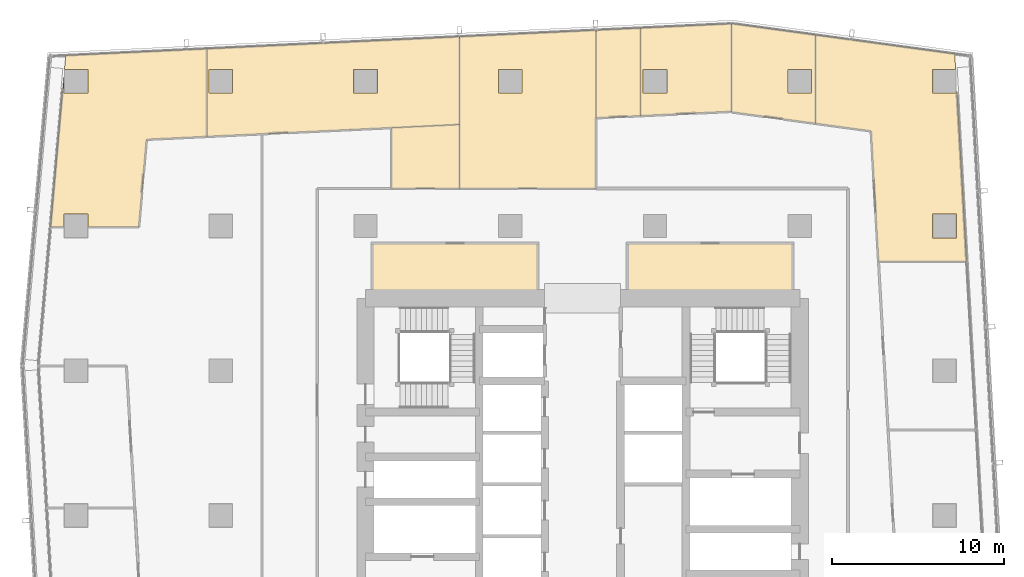
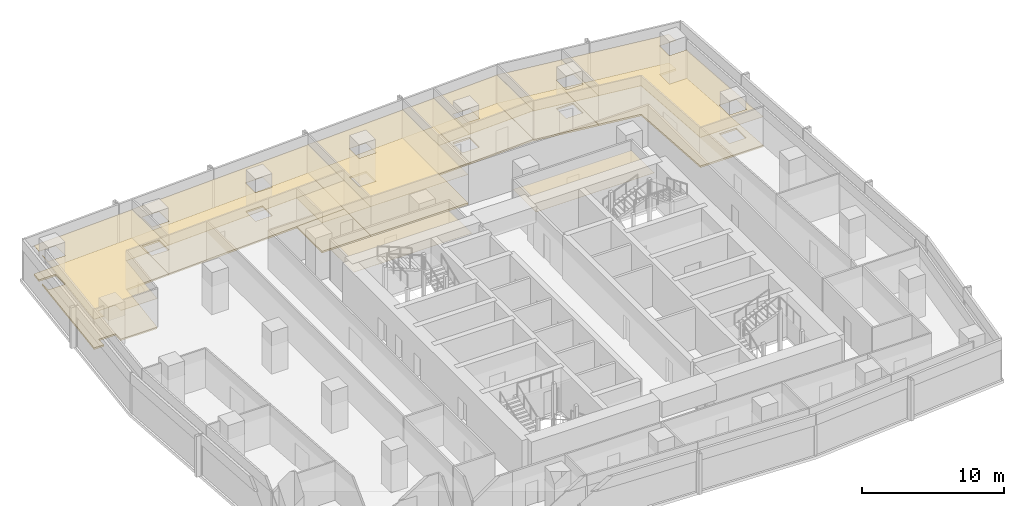
# One storey, part 38 of 38: 18 coverings.
"""IFC4 building model written with IfcOpenShell, lengths in metres."""

from ifc_helpers import new_model, si_unit, direction, frame, origin, place, context, subcontext, project, spatial, polyline, outline, extrude, material, layer, layer_set, type_object, element, save


model = new_model("IFC4")

# Units and contexts
model_context = context("Model", 3, precision=1e-05, world=origin(), true_north=direction((0.0, 1.0)))
body_context = subcontext(model_context, "Body", "Model", "MODEL_VIEW")
ifc_project = project(units=[si_unit("LENGTHUNIT", "METRE"), si_unit("AREAUNIT", "SQUARE_METRE"), si_unit("VOLUMEUNIT", "CUBIC_METRE"), si_unit("PLANEANGLEUNIT", "RADIAN"), si_unit("MASSUNIT", "GRAM", prefix="KILO")], contexts=[model_context])

# Site, building, storey
site_placement = place(None, origin())
site = spatial("IfcSite", under=ifc_project, at=site_placement, CompositionType="ELEMENT")
building_placement = place(site_placement, origin())
building = spatial("IfcBuilding", under=site, at=building_placement, Name="Rekha Terrace Tower", CompositionType="ELEMENT")
storey_placement = place(building_placement, frame((0.0, 0.0, 195.199951171875)))
storey = spatial("IfcBuildingStorey", under=building, at=storey_placement, Name="L49", CompositionType="ELEMENT", Elevation=195.199951171875)

# Coverings
ifc_material_1 = material(Name="Mineral fibre tile in exposed grid", Category="finish")
ifc_layer_1 = layer(ifc_material_1, 0.02001953125)
ifc_layer_set_1 = layer_set([ifc_layer_1], Name="Mineral fibre tile in exposed grid")
covering_type_1 = type_object("IfcCoveringType", Name="CL1 600x1200 office grid ceiling", PredefinedType="CEILING", material=ifc_layer_set_1)
covering_1_placement = place(storey_placement, frame((0.0, 0.0, 2.580078125)))
element("IfcCovering", 1, at=covering_1_placement, inside=storey, type_object=covering_type_1, Name="Ceiling L49-07", PredefinedType="CEILING", context=body_context, shape_type="SweptSolid", body=[
    extrude(outline(polyline([(59.39208984375, 60.39208984375), (51.31298828125, 61.490966796875), (51.31298828125, 56.343994140625), (54.5380859375, 55.905029296875), (54.968017578125, 48.33203125), (60.075927734375, 48.33203125), (59.51611328125, 58.2099609375), (59.489990234375, 58.208984375), (59.489990234375, 58.110107421875), (58.110107421875, 58.110107421875), (58.110107421875, 59.489990234375), (59.443115234375, 59.489990234375), (59.39208984375, 60.39208984375)]), holes=[polyline([(59.489990234375, 51.090087890625), (59.489990234375, 49.7099609375), (58.110107421875, 49.7099609375), (58.110107421875, 51.090087890625), (59.489990234375, 51.090087890625)])]), origin(), (0.0, 0.0, 1.0), 0.02001953125),
])
covering_2_placement = place(storey_placement, frame((0.0, 0.0, 2.580078125)))
element("IfcCovering", 2, at=covering_2_placement, inside=storey, type_object=covering_type_1, Name="Ceiling L49-08", PredefinedType="CEILING", context=body_context, shape_type="SweptSolid", body=[
    extrude(outline(polyline([(51.31201171875, 56.343994140625), (51.31201171875, 61.490966796875), (46.445068359375, 62.154052734375), (46.445068359375, 57.007080078125), (51.31201171875, 56.343994140625)]), holes=[polyline([(51.090087890625, 58.110107421875), (49.7099609375, 58.110107421875), (49.7099609375, 59.489990234375), (51.090087890625, 59.489990234375), (51.090087890625, 58.110107421875)])]), origin(), (0.0, 0.0, 1.0), 0.02001953125),
])
covering_3_placement = place(storey_placement, frame((0.0, 0.0, 2.580078125)))
element("IfcCovering", 3, at=covering_3_placement, inside=storey, type_object=covering_type_1, Name="Ceiling L49-09", PredefinedType="CEILING", context=body_context, shape_type="SweptSolid", body=[
    extrude(outline(polyline([(46.444091796875, 62.14697265625), (41.152099609375, 61.89404296875), (41.152099609375, 56.7890625), (46.444091796875, 57.041015625), (46.444091796875, 62.14697265625)]), holes=[polyline([(42.68994140625, 59.489990234375), (42.68994140625, 58.110107421875), (41.31005859375, 58.110107421875), (41.31005859375, 59.489990234375), (42.68994140625, 59.489990234375)])]), origin(), (0.0, 0.0, 1.0), 0.02001953125),
])
covering_4_placement = place(storey_placement, frame((0.0, 0.0, 2.580078125)))
element("IfcCovering", 4, at=covering_4_placement, inside=storey, type_object=covering_type_1, Name="Ceiling L49-10", PredefinedType="CEILING", context=body_context, shape_type="SweptSolid", body=[
    extrude(outline(polyline([(41.15087890625, 56.7880859375), (41.15087890625, 61.89404296875), (38.570068359375, 61.77099609375), (38.570068359375, 56.6650390625), (41.15087890625, 56.7880859375)])), origin(), (0.0, 0.0, 1.0), 0.02001953125),
])
covering_5_placement = place(storey_placement, frame((0.0, 0.0, 2.580078125)))
element("IfcCovering", 5, at=covering_5_placement, inside=storey, type_object=covering_type_1, Name="Ceiling L49-12", PredefinedType="CEILING", context=body_context, shape_type="SweptSolid", body=[
    extrude(outline(polyline([(30.660888671875, 61.39306640625), (24.31689453125, 61.090087890625), (15.989990234375, 60.69091796875), (15.989990234375, 55.5859375), (24.318115234375, 55.98388671875), (30.660888671875, 56.287109375), (30.660888671875, 61.39306640625)]), holes=[polyline([(25.889892578125, 58.110107421875), (24.510009765625, 58.110107421875), (24.510009765625, 59.489990234375), (25.889892578125, 59.489990234375), (25.889892578125, 58.110107421875)]), polyline([(17.489990234375, 59.489990234375), (17.489990234375, 58.110107421875), (16.110107421875, 58.110107421875), (16.110107421875, 59.489990234375), (17.489990234375, 59.489990234375)])]), origin(), (0.0, 0.0, 1.0), 0.02001953125),
])
covering_6_placement = place(storey_placement, frame((0.0, 0.0, 2.580078125)))
element("IfcCovering", 6, at=covering_6_placement, inside=storey, type_object=covering_type_1, Name="Ceiling L49-13", PredefinedType="CEILING", context=body_context, shape_type="SweptSolid", body=[
    extrude(outline(polyline([(9.090087890625, 51.090087890625), (9.090087890625, 50.33203125), (12.041015625, 50.33203125), (12.489990234375, 55.41796875), (15.989013671875, 55.5859375), (15.989013671875, 60.69091796875), (7.801025390625, 60.300048828125), (7.72900390625, 59.489990234375), (9.090087890625, 59.489990234375), (9.090087890625, 58.110107421875), (7.7099609375, 58.110107421875), (7.7099609375, 59.0029296875), (7.68701171875, 59.00390625), (6.9208984375, 50.33203125), (7.7099609375, 50.33203125), (7.7099609375, 51.090087890625), (9.090087890625, 51.090087890625)])), origin(), (0.0, 0.0, 1.0), 0.02001953125),
])
covering_7_placement = place(storey_placement, frame((0.0, 0.0, 2.580078125)))
element("IfcCovering", 7, at=covering_7_placement, inside=storey, type_object=covering_type_1, Name="Ceiling L49-19", PredefinedType="CEILING", context=body_context, shape_type="SweptSolid", body=[
    extrude(outline(polyline([(30.660888671875, 52.574951171875), (30.660888671875, 56.287109375), (26.7041015625, 56.097900390625), (26.7041015625, 52.574951171875), (30.660888671875, 52.574951171875)])), origin(), (0.0, 0.0, 1.0), 0.02001953125),
])
covering_8_placement = place(storey_placement, frame((0.0, 0.0, 2.580078125)))
element("IfcCovering", 8, at=covering_8_placement, inside=storey, type_object=covering_type_1, Name="Ceiling L49-21", PredefinedType="CEILING", context=body_context, shape_type="SweptSolid", body=[
    extrude(outline(polyline([(38.570068359375, 52.574951171875), (38.570068359375, 61.77099609375), (30.660888671875, 61.39306640625), (30.660888671875, 52.574951171875), (38.570068359375, 52.574951171875)]), holes=[polyline([(34.2900390625, 58.110107421875), (32.909912109375, 58.110107421875), (32.909912109375, 59.489990234375), (34.2900390625, 59.489990234375), (34.2900390625, 58.110107421875)])]), origin(), (0.0, 0.0, 1.0), 0.02001953125),
])
ifc_material_2 = material(Name="Fibre cement board", Category="finish")
ifc_layer_2 = layer(ifc_material_2, 0.014892578125)
ifc_layer_set_2 = layer_set([ifc_layer_2], Name="Fibre cement board")
covering_type_2 = type_object("IfcCoveringType", Name="CL2 moisture-resistant board ceiling", PredefinedType="CEILING", material=ifc_layer_set_2)
covering_9_placement = place(storey_placement, frame((0.0, 0.0, 2.5849609375)))
element("IfcCovering", 9, at=covering_9_placement, inside=storey, type_object=covering_type_2, Name="Ceiling L49-WCF", PredefinedType="CEILING", context=body_context, shape_type="SweptSolid", body=[
    extrude(outline(polyline([(50.0, 49.39990234375), (40.39990234375, 49.39990234375), (40.39990234375, 46.199951171875), (50.0, 46.199951171875), (50.0, 49.39990234375)])), origin(), (0.0, 0.0, 1.0), 0.01513671875),
])
covering_10_placement = place(storey_placement, frame((0.0, 0.0, 2.5849609375)))
element("IfcCovering", 10, at=covering_10_placement, inside=storey, type_object=covering_type_2, Name="Ceiling L49-WCF2", PredefinedType="CEILING", context=body_context, shape_type="SweptSolid", body=[
    extrude(outline(polyline([(35.199951171875, 49.39990234375), (25.60009765625, 49.39990234375), (25.60009765625, 46.199951171875), (35.199951171875, 46.199951171875), (35.199951171875, 49.39990234375)])), origin(), (0.0, 0.0, 1.0), 0.01513671875),
])
ifc_material_3 = material(Name="Calcium sulphate panels on steel pedestals", Category="steel")
ifc_layer_3 = layer(ifc_material_3, 0.14990234375)
ifc_layer_set_3 = layer_set([ifc_layer_3], Name="Calcium sulphate panels on steel pedestals")
covering_type_3 = type_object("IfcCoveringType", Name="RF1 150 raised access floor", PredefinedType="FLOORING", material=ifc_layer_set_3)
covering_11_placement = place(storey_placement, origin())
element("IfcCovering", 11, at=covering_11_placement, inside=storey, type_object=covering_type_3, Name="Raised floor L49-07", PredefinedType="FLOORING", context=body_context, shape_type="SweptSolid", body=[
    extrude(outline(polyline([(59.39208984375, 60.39208984375), (51.31298828125, 61.490966796875), (51.31298828125, 56.343994140625), (54.5380859375, 55.905029296875), (54.968017578125, 48.33203125), (60.075927734375, 48.33203125), (59.51611328125, 58.2099609375), (59.489990234375, 58.208984375), (59.489990234375, 58.110107421875), (58.110107421875, 58.110107421875), (58.110107421875, 59.489990234375), (59.443115234375, 59.489990234375), (59.39208984375, 60.39208984375)]), holes=[polyline([(59.489990234375, 51.090087890625), (59.489990234375, 49.7099609375), (58.110107421875, 49.7099609375), (58.110107421875, 51.090087890625), (59.489990234375, 51.090087890625)])]), origin(), (0.0, 0.0, 1.0), 0.150146484375),
])
covering_12_placement = place(storey_placement, origin())
element("IfcCovering", 12, at=covering_12_placement, inside=storey, type_object=covering_type_3, Name="Raised floor L49-08", PredefinedType="FLOORING", context=body_context, shape_type="SweptSolid", body=[
    extrude(outline(polyline([(51.31201171875, 56.343994140625), (51.31201171875, 61.490966796875), (46.445068359375, 62.154052734375), (46.445068359375, 57.007080078125), (51.31201171875, 56.343994140625)]), holes=[polyline([(51.090087890625, 58.110107421875), (49.7099609375, 58.110107421875), (49.7099609375, 59.489990234375), (51.090087890625, 59.489990234375), (51.090087890625, 58.110107421875)])]), origin(), (0.0, 0.0, 1.0), 0.150146484375),
])
covering_13_placement = place(storey_placement, origin())
element("IfcCovering", 13, at=covering_13_placement, inside=storey, type_object=covering_type_3, Name="Raised floor L49-09", PredefinedType="FLOORING", context=body_context, shape_type="SweptSolid", body=[
    extrude(outline(polyline([(46.444091796875, 62.14697265625), (41.152099609375, 61.89404296875), (41.152099609375, 56.7890625), (46.444091796875, 57.041015625), (46.444091796875, 62.14697265625)]), holes=[polyline([(42.68994140625, 59.489990234375), (42.68994140625, 58.110107421875), (41.31005859375, 58.110107421875), (41.31005859375, 59.489990234375), (42.68994140625, 59.489990234375)])]), origin(), (0.0, 0.0, 1.0), 0.150146484375),
])
covering_14_placement = place(storey_placement, origin())
element("IfcCovering", 14, at=covering_14_placement, inside=storey, type_object=covering_type_3, Name="Raised floor L49-10", PredefinedType="FLOORING", context=body_context, shape_type="SweptSolid", body=[
    extrude(outline(polyline([(41.15087890625, 56.7880859375), (41.15087890625, 61.89404296875), (38.570068359375, 61.77099609375), (38.570068359375, 56.6650390625), (41.15087890625, 56.7880859375)])), origin(), (0.0, 0.0, 1.0), 0.150146484375),
])
covering_15_placement = place(storey_placement, origin())
element("IfcCovering", 15, at=covering_15_placement, inside=storey, type_object=covering_type_3, Name="Raised floor L49-12", PredefinedType="FLOORING", context=body_context, shape_type="SweptSolid", body=[
    extrude(outline(polyline([(30.660888671875, 61.39306640625), (24.31689453125, 61.090087890625), (15.989990234375, 60.69091796875), (15.989990234375, 55.5859375), (24.318115234375, 55.98388671875), (30.660888671875, 56.287109375), (30.660888671875, 61.39306640625)]), holes=[polyline([(25.889892578125, 58.110107421875), (24.510009765625, 58.110107421875), (24.510009765625, 59.489990234375), (25.889892578125, 59.489990234375), (25.889892578125, 58.110107421875)]), polyline([(17.489990234375, 59.489990234375), (17.489990234375, 58.110107421875), (16.110107421875, 58.110107421875), (16.110107421875, 59.489990234375), (17.489990234375, 59.489990234375)])]), origin(), (0.0, 0.0, 1.0), 0.150146484375),
])
covering_16_placement = place(storey_placement, origin())
element("IfcCovering", 16, at=covering_16_placement, inside=storey, type_object=covering_type_3, Name="Raised floor L49-13", PredefinedType="FLOORING", context=body_context, shape_type="SweptSolid", body=[
    extrude(outline(polyline([(9.090087890625, 51.090087890625), (9.090087890625, 50.33203125), (12.041015625, 50.33203125), (12.489990234375, 55.41796875), (15.989013671875, 55.5859375), (15.989013671875, 60.69091796875), (7.801025390625, 60.300048828125), (7.72900390625, 59.489990234375), (9.090087890625, 59.489990234375), (9.090087890625, 58.110107421875), (7.7099609375, 58.110107421875), (7.7099609375, 59.0029296875), (7.68701171875, 59.00390625), (6.9208984375, 50.33203125), (7.7099609375, 50.33203125), (7.7099609375, 51.090087890625), (9.090087890625, 51.090087890625)])), origin(), (0.0, 0.0, 1.0), 0.150146484375),
])
covering_17_placement = place(storey_placement, origin())
element("IfcCovering", 17, at=covering_17_placement, inside=storey, type_object=covering_type_3, Name="Raised floor L49-19", PredefinedType="FLOORING", context=body_context, shape_type="SweptSolid", body=[
    extrude(outline(polyline([(30.660888671875, 52.574951171875), (30.660888671875, 56.287109375), (26.7041015625, 56.097900390625), (26.7041015625, 52.574951171875), (30.660888671875, 52.574951171875)])), origin(), (0.0, 0.0, 1.0), 0.150146484375),
])
covering_18_placement = place(storey_placement, origin())
element("IfcCovering", 18, at=covering_18_placement, inside=storey, type_object=covering_type_3, Name="Raised floor L49-21", PredefinedType="FLOORING", context=body_context, shape_type="SweptSolid", body=[
    extrude(outline(polyline([(38.570068359375, 52.574951171875), (38.570068359375, 61.77099609375), (30.660888671875, 61.39306640625), (30.660888671875, 52.574951171875), (38.570068359375, 52.574951171875)]), holes=[polyline([(34.2900390625, 58.110107421875), (32.909912109375, 58.110107421875), (32.909912109375, 59.489990234375), (34.2900390625, 59.489990234375), (34.2900390625, 58.110107421875)])]), origin(), (0.0, 0.0, 1.0), 0.150146484375),
])

save(model, "model.ifc")
